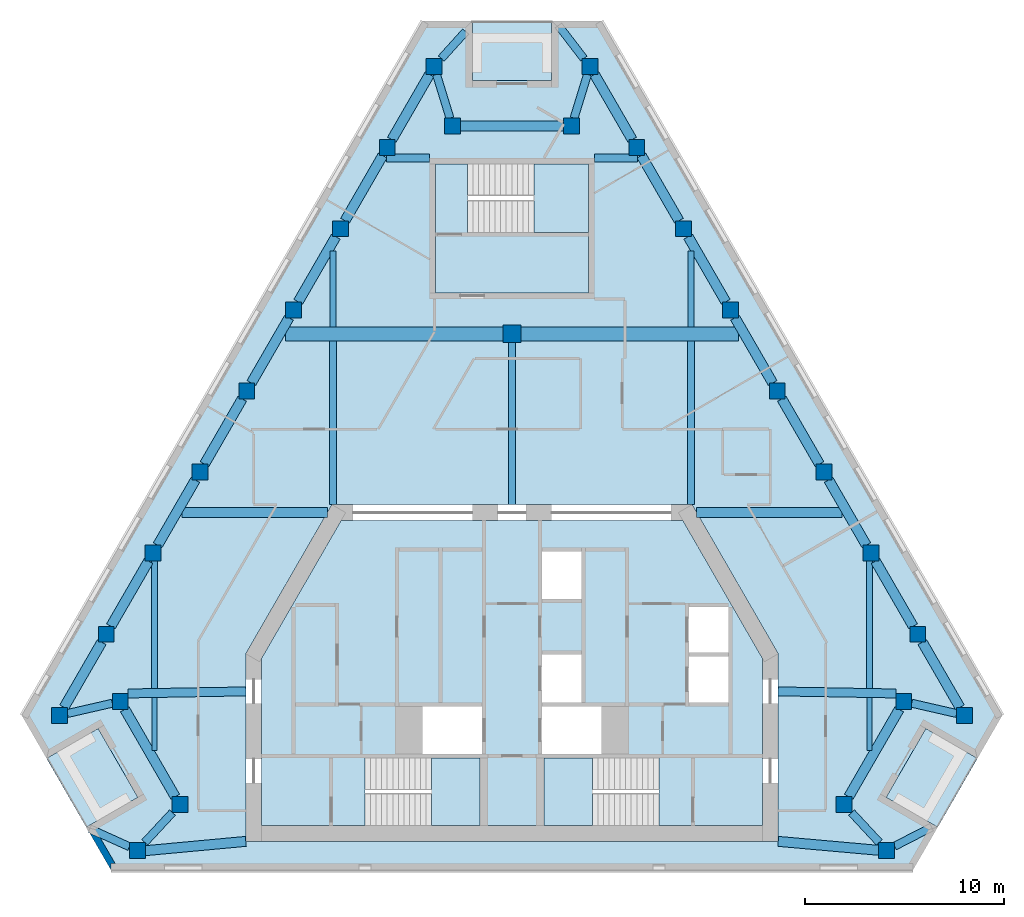
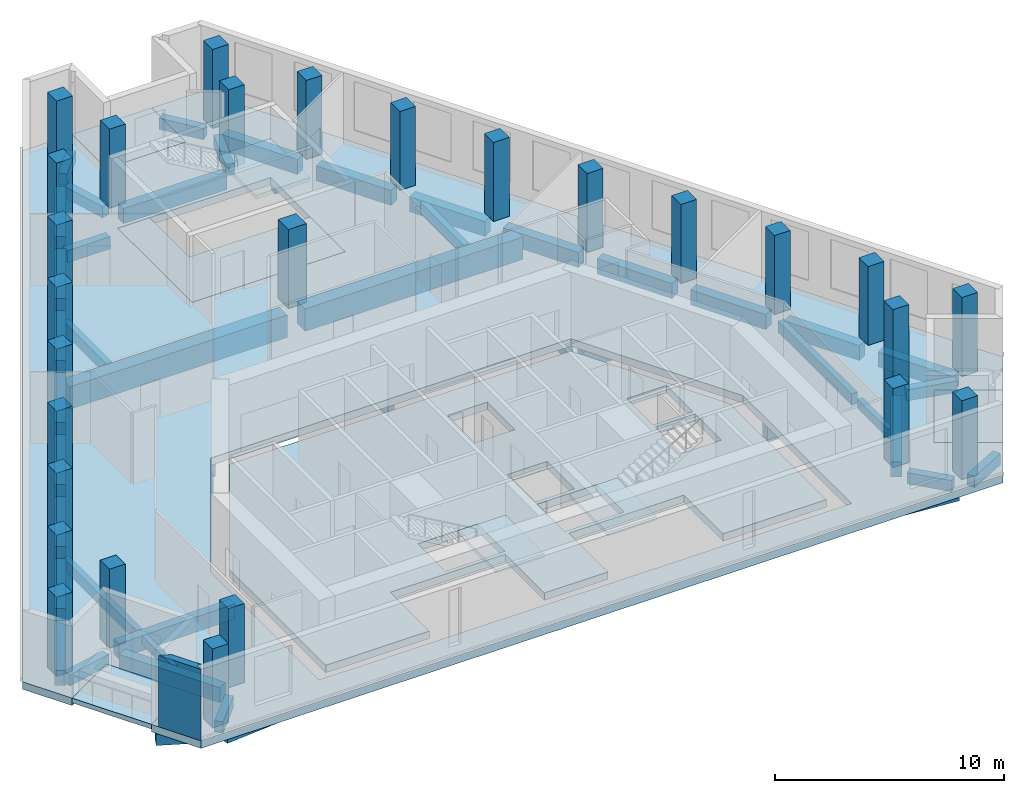
# One storey, part 1 of 8: 48 beams, 27 columns, 9 slabs, 1 wall, 3 elements without a shape of their own.
"""IFC4 building model written with IfcOpenShell, lengths in metres."""

from ifc_helpers import new_model, si_unit, direction, frame, origin, origin_2d, place, context, subcontext, project, spatial, polyline, rectangle, outline, extrude, material, layer, layer_set, material_profile, profile_set, type_object, element, aggregate, save


model = new_model("IFC4")

# Units and contexts
model_context = context("Model", 3, precision=1e-05, world=origin(), true_north=direction((0.0, 1.0)))
body_context = subcontext(model_context, "Body", "Model", "MODEL_VIEW")
ifc_project = project(units=[si_unit("LENGTHUNIT", "METRE"), si_unit("AREAUNIT", "SQUARE_METRE"), si_unit("VOLUMEUNIT", "CUBIC_METRE"), si_unit("PLANEANGLEUNIT", "RADIAN"), si_unit("MASSUNIT", "GRAM", prefix="KILO")], contexts=[model_context])

# Site, building, storey
site_placement = place(None, origin())
site = spatial("IfcSite", under=ifc_project, at=site_placement, CompositionType="ELEMENT")
building_placement = place(site_placement, origin())
building = spatial("IfcBuilding", under=site, at=building_placement, Name="Fogline Exchange Tower", CompositionType="ELEMENT")
storey_placement = place(building_placement, frame((0.0, 0.0, 314.10009765625)))
storey = spatial("IfcBuildingStorey", under=building, at=storey_placement, Name="L71", CompositionType="ELEMENT", Elevation=314.10009765625)

# Columns
ifc_material_1 = material(Name="Concrete C60", Category="concrete")
ifc_material_profile_1 = material_profile(ifc_material_1, rectangle(XDim=0.89990234375, YDim=0.89990234375, at=origin_2d()), Name="RC 900x900")
ifc_profile_set_1 = profile_set([ifc_material_profile_1], Name="Concrete C60")
column_type_1 = type_object("IfcColumnType", Name="C06", PredefinedType="COLUMN", material=ifc_profile_set_1)
column_placement = place(storey_placement, frame((0.0, 27.0, 0.0), z_axis=(0.0, 0.0, 1.0), x_axis=(1.0, 0.0, 0.0)))
element("IfcColumn", 1, at=column_placement, inside=storey, type_object=column_type_1, Name="IC-0-27", PredefinedType="COLUMN", context=body_context, shape_type="SweptSolid", body=[
    extrude(rectangle(XDim=0.89990234375, YDim=0.89990234375, at=origin_2d()), origin(), (0.0, 0.0, 1.0), 4.199951171875),
])
ifc_material_profile_2 = material_profile(ifc_material_1, rectangle(XDim=0.800048828125, YDim=0.800048828125, at=origin_2d()), Name="RC 800x800")
ifc_profile_set_2 = profile_set([ifc_material_profile_2], Name="Concrete C60")
column_type_2 = type_object("IfcColumnType", Name="C07", PredefinedType="COLUMN", material=ifc_profile_set_2)
for number, where, z_axis, x_axis, name in (
    (2, (-22.7802734375, 7.794189453125, 0.0), (0.0, 0.0, 1.0), (1.0, 0.0, 0.0), "SW-a"),
    (3, (-19.720947265625, 8.4951171875, 0.0), (0.0, 0.0, 1.0), (1.0, 0.0, 0.0), "SW-p4"),
    (4, (-16.720947265625, 3.299072265625, 0.0), (0.0, 0.0, 1.0), (1.0, 0.0, 0.0), "SW-p3"),
    (5, (-18.857666015625, 1.0, 0.0), (0.0, 0.0, 1.0), (1.0, 0.0, 0.0), "SW-b"),
    (6, (18.857666015625, 1.0, 0.0), (0.0, 0.0, 1.0), (1.0, 0.0, 0.0), "SE-a"),
    (7, (16.720947265625, 3.299072265625, 0.0), (0.0, 0.0, 1.0), (1.0, 0.0, 0.0), "SE-p4"),
    (8, (19.720947265625, 8.4951171875, 0.0), (0.0, 0.0, 1.0), (1.0, 0.0, 0.0), "SE-p3"),
    (9, (22.7802734375, 7.794189453125, 0.0), (0.0, 0.0, 1.0), (1.0, 0.0, 0.0), "SE-b"),
    (10, (20.423095703125, 11.876953125, 0.0), (0.0, 0.0, 1.0), (1.0, 0.0, 0.0), "E1"),
    (11, (18.06591796875, 15.959716796875, 0.0), (0.0, 0.0, 1.0), (1.0, 0.0, 0.0), "E2"),
    (12, (15.708740234375, 20.04248046875, 0.0), (0.0, 0.0, 1.0), (1.0, 0.0, 0.0), "E3"),
    (13, (13.3515625, 24.12548828125, 0.0), (0.0, 0.0, 1.0), (1.0, 0.0, 0.0), "E4"),
    (14, (10.994384765625, 28.208251953125, 0.0), (0.0, 0.0, 1.0), (1.0, 0.0, 0.0), "E5"),
    (15, (8.63720703125, 32.291015625, 0.0), (0.0, 0.0, 1.0), (1.0, 0.0, 0.0), "E6"),
    (16, (6.27978515625, 36.373779296875, 0.0), (0.0, 0.0, 1.0), (1.0, 0.0, 0.0), "E7"),
    (17, (3.922607421875, 40.456787109375, 0.0), (0.0, 0.0, 1.0), (1.0, 0.0, 0.0), "N-a"),
    (18, (3.0, 37.456787109375, 0.0), (0.0, 0.0, 1.0), (1.0, 0.0, 0.0), "N-p4"),
    (19, (-3.0, 37.456787109375, 0.0), (0.0, 0.0, 1.0), (1.0, 0.0, 0.0), "N-p3"),
    (20, (-3.922607421875, 40.456787109375, 0.0), (0.0, 0.0, 1.0), (1.0, 0.0, 0.0), "N-b"),
    (21, (-6.27978515625, 36.373779296875, 0.0), (0.0, 0.0, 1.0), (1.0, 0.0, 0.0), "W1"),
    (22, (-8.63720703125, 32.291015625, 0.0), (0.0, 0.0, 1.0), (1.0, 0.0, 0.0), "W2"),
    (23, (-10.994384765625, 28.208251953125, 0.0), (0.0, 0.0, 1.0), (1.0, 0.0, 0.0), "W3"),
    (24, (-13.3515625, 24.12548828125, 0.0), (0.0, 0.0, 1.0), (1.0, 0.0, 0.0), "W4"),
    (25, (-15.708740234375, 20.04248046875, 0.0), (0.0, 0.0, 1.0), (1.0, 0.0, 0.0), "W5"),
    (26, (-18.06591796875, 15.959716796875, 0.0), (0.0, 0.0, 1.0), (1.0, 0.0, 0.0), "W6"),
    (27, (-20.423095703125, 11.876953125, 0.0), (0.0, 0.0, 1.0), (1.0, 0.0, 0.0), "W7"),
):
    element("IfcColumn", number, at=place(storey_placement, frame(where, z_axis=z_axis, x_axis=x_axis)), inside=storey, type_object=column_type_2, Name=name, PredefinedType="COLUMN", context=body_context, shape_type="SweptSolid", body=[
        extrude(rectangle(XDim=0.800048828125, YDim=0.800048828125, at=origin_2d()), origin(), (0.0, 0.0, 1.0), 4.199951171875),
    ])

# Beams
ifc_material_2 = material(Name="Concrete C40", Category="concrete")
ifc_material_profile_3 = material_profile(ifc_material_2, rectangle(XDim=0.300048828125, YDim=0.60009765625, at=origin_2d()), Name="RC 300x600")
ifc_profile_set_3 = profile_set([ifc_material_profile_3], Name="Concrete C40")
beam_type_1 = type_object("IfcBeamType", Name="B06", PredefinedType="BEAM", material=ifc_profile_set_3)
beam_1_placement = place(storey_placement, frame((-18.0, 9.1435546875, -0.7001953125), z_axis=(0.0, 1.0, 0.0), x_axis=(-1.0, 0.0, 0.0)))
element("IfcBeam", 28, at=beam_1_placement, inside=storey, type_object=beam_type_1, Name="SB002", PredefinedType="BEAM", context=body_context, shape_type="SweptSolid", body=[
    extrude(rectangle(XDim=0.300048828125, YDim=0.60009765625, at=origin_2d()), origin(), (0.0, 0.0, 1.0), 6.416259765625),
])
for number, where, z_axis, x_axis, name in (
    (29, (-9.0, 27.35009765625, -0.7001953125), (0.0, 1.0, 0.0), (-1.0, 0.0, 0.0), "SB004"),
    (30, (9.0, 27.35009765625, -0.7001953125), (0.0, 1.0, 0.0), (-1.0, 0.0, 0.0), "SB007"),
):
    element("IfcBeam", number, at=place(storey_placement, frame(where, z_axis=z_axis, x_axis=x_axis)), inside=storey, type_object=beam_type_1, Name=name, PredefinedType="BEAM", context=body_context, shape_type="SweptSolid", body=[
        extrude(rectangle(XDim=0.300048828125, YDim=0.60009765625, at=origin_2d()), origin(), (0.0, 0.0, 1.0), 3.812255859375),
    ])
beam_2_placement = place(storey_placement, frame((18.0, 9.1435546875, -0.7001953125), z_axis=(0.0, 1.0, 0.0), x_axis=(-1.0, 0.0, 0.0)))
element("IfcBeam", 31, at=beam_2_placement, inside=storey, type_object=beam_type_1, Name="SB009", PredefinedType="BEAM", context=body_context, shape_type="SweptSolid", body=[
    extrude(rectangle(XDim=0.300048828125, YDim=0.60009765625, at=origin_2d()), origin(), (0.0, 0.0, 1.0), 6.416259765625),
])
ifc_material_profile_4 = material_profile(ifc_material_2, rectangle(XDim=0.25, YDim=0.5, at=origin_2d()), Name="RC 250x500")
ifc_profile_set_4 = profile_set([ifc_material_profile_4], Name="Concrete C40")
beam_type_2 = type_object("IfcBeamType", Name="B08", PredefinedType="BEAM", material=ifc_profile_set_4)
for number, where, z_axis, x_axis, name in (
    (32, (-18.0, 6.014404296875, -0.650146484375), (0.0, 1.0, 0.0), (-1.0, 0.0, 0.0), "SB001"),
    (33, (18.0, 6.014404296875, -0.650146484375), (0.0, 1.0, 0.0), (-1.0, 0.0, 0.0), "SB008"),
):
    element("IfcBeam", number, at=place(storey_placement, frame(where, z_axis=z_axis, x_axis=x_axis)), inside=storey, type_object=beam_type_2, Name=name, PredefinedType="BEAM", context=body_context, shape_type="SweptSolid", body=[
        extrude(rectangle(XDim=0.25, YDim=0.5, at=origin_2d()), origin(), (0.0, 0.0, 1.0), 2.67919921875),
    ])
ifc_material_profile_5 = material_profile(ifc_material_2, rectangle(XDim=0.5, YDim=0.800048828125, at=origin_2d()), Name="RC 500x800")
ifc_profile_set_5 = profile_set([ifc_material_profile_5], Name="Concrete C40")
beam_type_3 = type_object("IfcBeamType", Name="B10", PredefinedType="BEAM", material=ifc_profile_set_5)
beam_3_placement = place(storey_placement, frame((-19.489990234375, 8.09521484375, -0.800048828125), z_axis=(0.499987508774, -0.866032615477, 0.0), x_axis=(0.866032615477, 0.499987508774, 0.0)))
element("IfcBeam", 34, at=beam_3_placement, inside=storey, type_object=beam_type_3, Name="RB002", PredefinedType="BEAM", context=body_context, shape_type="SweptSolid", body=[
    extrude(rectangle(XDim=0.5, YDim=0.800048828125, at=origin_2d()), origin(), (0.0, 0.0, 1.0), 5.076416015625),
])
beam_4_placement = place(storey_placement, frame((-18.457763671875, 0.981689453125, -0.800048828125), z_axis=(0.995741736268, 0.092186737952, 0.0), x_axis=(-0.092186737952, 0.995741736268, 0.0)))
element("IfcBeam", 35, at=beam_4_placement, inside=storey, type_object=beam_type_3, Name="RB004", PredefinedType="BEAM", context=body_context, shape_type="SweptSolid", body=[
    extrude(rectangle(XDim=0.5, YDim=0.800048828125, at=origin_2d()), origin(), (0.0, 0.0, 1.0), 5.07958984375),
])
beam_5_placement = place(storey_placement, frame((13.39990234375, 1.449951171875, -0.800048828125), z_axis=(0.996066324908, -0.088610814153, 0.0), x_axis=(0.088610814153, 0.996066324908, 0.0)))
element("IfcBeam", 36, at=beam_5_placement, inside=storey, type_object=beam_type_3, Name="RB005", PredefinedType="BEAM", context=body_context, shape_type="SweptSolid", body=[
    extrude(rectangle(XDim=0.5, YDim=0.800048828125, at=origin_2d()), origin(), (0.0, 0.0, 1.0), 5.077880859375),
])
beam_6_placement = place(storey_placement, frame((16.951904296875, 3.698974609375, -0.800048828125), z_axis=(0.499987508774, 0.866032615477, 0.0), x_axis=(-0.866032615477, 0.499987508774, 0.0)))
element("IfcBeam", 37, at=beam_6_placement, inside=storey, type_object=beam_type_3, Name="RB007", PredefinedType="BEAM", context=body_context, shape_type="SweptSolid", body=[
    extrude(rectangle(XDim=0.5, YDim=0.800048828125, at=origin_2d()), origin(), (0.0, 0.0, 1.0), 5.076416015625),
])
beam_7_placement = place(storey_placement, frame((22.54931640625, 8.194091796875, -0.800048828125), z_axis=(-0.499969613651, 0.86604294664, 0.0), x_axis=(-0.86604294664, -0.499969613651, 0.0)))
element("IfcBeam", 38, at=beam_7_placement, inside=storey, type_object=beam_type_3, Name="RB009", PredefinedType="BEAM", context=body_context, shape_type="SweptSolid", body=[
    extrude(rectangle(XDim=0.5, YDim=0.800048828125, at=origin_2d()), origin(), (0.0, 0.0, 1.0), 3.790771484375),
])
for number, where, z_axis, x_axis, name in (
    (39, (20.192138671875, 12.277099609375, -0.800048828125), (-0.499997501644, 0.866026846206, 0.0), (-0.866026846206, -0.499997501644, 0.0), "RB010"),
    (40, (17.8349609375, 16.35986328125, -0.800048828125), (-0.499997501644, 0.866026846206, 0.0), (-0.866026846206, -0.499997501644, 0.0), "RB011"),
    (41, (15.477783203125, 20.442626953125, -0.800048828125), (-0.499997501644, 0.866026846206, 0.0), (-0.866026846206, -0.499997501644, 0.0), "RB012"),
):
    element("IfcBeam", number, at=place(storey_placement, frame(where, z_axis=z_axis, x_axis=x_axis)), inside=storey, type_object=beam_type_3, Name=name, PredefinedType="BEAM", context=body_context, shape_type="SweptSolid", body=[
        extrude(rectangle(XDim=0.5, YDim=0.800048828125, at=origin_2d()), origin(), (0.0, 0.0, 1.0), 3.79052734375),
    ])
for number, where, z_axis, x_axis, name in (
    (42, (13.12060546875, 24.525390625, -0.800048828125), (-0.500045805297, 0.865998956469, 0.0), (-0.865998956469, -0.500045805297, 0.0), "RB013"),
    (43, (10.76318359375, 28.608154296875, -0.800048828125), (-0.499969613651, 0.86604294664, 0.0), (-0.86604294664, -0.499969613651, 0.0), "RB014"),
    (44, (8.406005859375, 32.69091796875, -0.800048828125), (-0.499969613651, 0.86604294664, 0.0), (-0.86604294664, -0.499969613651, 0.0), "RB015"),
    (45, (6.048828125, 36.773681640625, -0.800048828125), (-0.499969613651, 0.86604294664, 0.0), (-0.86604294664, -0.499969613651, 0.0), "RB016"),
):
    element("IfcBeam", number, at=place(storey_placement, frame(where, z_axis=z_axis, x_axis=x_axis)), inside=storey, type_object=beam_type_3, Name=name, PredefinedType="BEAM", context=body_context, shape_type="SweptSolid", body=[
        extrude(rectangle(XDim=0.5, YDim=0.800048828125, at=origin_2d()), origin(), (0.0, 0.0, 1.0), 3.790771484375),
    ])
beam_8_placement = place(storey_placement, frame((2.60009765625, 37.456787109375, -0.800048828125), z_axis=(-1.0, 0.0, 0.0), x_axis=(0.0, -1.0, 0.0)))
element("IfcBeam", 46, at=beam_8_placement, inside=storey, type_object=beam_type_3, Name="RB018", PredefinedType="BEAM", context=body_context, shape_type="SweptSolid", body=[
    extrude(rectangle(XDim=0.5, YDim=0.800048828125, at=origin_2d()), origin(), (0.0, 0.0, 1.0), 5.2001953125),
])
for number, where, z_axis, x_axis, name in (
    (47, (-4.153564453125, 40.056640625, -0.800048828125), (-0.499969613651, -0.86604294664, 0.0), (0.86604294664, -0.499969613651, 0.0), "RB020"),
    (48, (-6.5107421875, 35.973876953125, -0.800048828125), (-0.499969613651, -0.86604294664, 0.0), (0.86604294664, -0.499969613651, 0.0), "RB021"),
    (49, (-8.867919921875, 31.89111328125, -0.800048828125), (-0.499969613651, -0.86604294664, 0.0), (0.86604294664, -0.499969613651, 0.0), "RB022"),
    (50, (-11.22509765625, 27.80810546875, -0.800048828125), (-0.500045805297, -0.865998956469, 0.0), (0.865998956469, -0.500045805297, 0.0), "RB023"),
):
    element("IfcBeam", number, at=place(storey_placement, frame(where, z_axis=z_axis, x_axis=x_axis)), inside=storey, type_object=beam_type_3, Name=name, PredefinedType="BEAM", context=body_context, shape_type="SweptSolid", body=[
        extrude(rectangle(XDim=0.5, YDim=0.800048828125, at=origin_2d()), origin(), (0.0, 0.0, 1.0), 3.790771484375),
    ])
for number, where, z_axis, x_axis, name in (
    (51, (-13.58251953125, 23.725341796875, -0.800048828125), (-0.499997501644, -0.866026846206, 0.0), (0.866026846206, -0.499997501644, 0.0), "RB024"),
    (52, (-15.939697265625, 19.642578125, -0.800048828125), (-0.499997501644, -0.866026846206, 0.0), (0.866026846206, -0.499997501644, 0.0), "RB025"),
    (53, (-18.296875, 15.559814453125, -0.800048828125), (-0.499997501644, -0.866026846206, 0.0), (0.866026846206, -0.499997501644, 0.0), "RB026"),
):
    element("IfcBeam", number, at=place(storey_placement, frame(where, z_axis=z_axis, x_axis=x_axis)), inside=storey, type_object=beam_type_3, Name=name, PredefinedType="BEAM", context=body_context, shape_type="SweptSolid", body=[
        extrude(rectangle(XDim=0.5, YDim=0.800048828125, at=origin_2d()), origin(), (0.0, 0.0, 1.0), 3.79052734375),
    ])
beam_9_placement = place(storey_placement, frame((-20.654052734375, 11.47705078125, -0.800048828125), z_axis=(-0.499969613651, -0.86604294664, 0.0), x_axis=(0.86604294664, -0.499969613651, 0.0)))
element("IfcBeam", 54, at=beam_9_placement, inside=storey, type_object=beam_type_3, Name="RB027", PredefinedType="BEAM", context=body_context, shape_type="SweptSolid", body=[
    extrude(rectangle(XDim=0.5, YDim=0.800048828125, at=origin_2d()), origin(), (0.0, 0.0, 1.0), 3.790771484375),
])
ifc_material_profile_6 = material_profile(ifc_material_2, rectangle(XDim=0.39990234375, YDim=0.60009765625, at=origin_2d()), Name="RC 400x600")
ifc_profile_set_6 = profile_set([ifc_material_profile_6], Name="Concrete C40")
beam_type_4 = type_object("IfcBeamType", Name="B11", PredefinedType="BEAM", material=ifc_profile_set_6)
beam_10_placement = place(storey_placement, frame((-22.38037109375, 7.885986328125, -0.7001953125), z_axis=(0.974753812703, 0.223282342834, 0.0), x_axis=(-0.223282342834, 0.974753812703, 0.0)))
element("IfcBeam", 55, at=beam_10_placement, inside=storey, type_object=beam_type_4, Name="RB001", PredefinedType="BEAM", context=body_context, shape_type="SweptSolid", body=[
    extrude(rectangle(XDim=0.39990234375, YDim=0.60009765625, at=origin_2d()), origin(), (0.0, 0.0, 1.0), 2.318115234375),
])
for number, where, z_axis, x_axis, name in (
    (56, (-17.0927734375, 2.89892578125, -0.7001953125), (-0.680743909802, -0.732521487239, 0.0), (0.732521487239, -0.680743909802, 0.0), "RB003"),
    (57, (18.48583984375, 1.39990234375, -0.7001953125), (-0.680743909802, 0.732521487239, 0.0), (-0.732521487239, -0.680743909802, 0.0), "RB006"),
):
    element("IfcBeam", number, at=place(storey_placement, frame(where, z_axis=z_axis, x_axis=x_axis)), inside=storey, type_object=beam_type_4, Name=name, PredefinedType="BEAM", context=body_context, shape_type="SweptSolid", body=[
        extrude(rectangle(XDim=0.39990234375, YDim=0.60009765625, at=origin_2d()), origin(), (0.0, 0.0, 1.0), 2.04638671875),
    ])
beam_11_placement = place(storey_placement, frame((20.120849609375, 8.403564453125, -0.7001953125), z_axis=(0.974753812703, -0.223282342834, 0.0), x_axis=(0.223282342834, 0.974753812703, 0.0)))
element("IfcBeam", 58, at=beam_11_placement, inside=storey, type_object=beam_type_4, Name="RB008", PredefinedType="BEAM", context=body_context, shape_type="SweptSolid", body=[
    extrude(rectangle(XDim=0.39990234375, YDim=0.60009765625, at=origin_2d()), origin(), (0.0, 0.0, 1.0), 2.318115234375),
])
for number, where, z_axis, x_axis, name in (
    (59, (3.799560546875, 40.056640625, -0.7001953125), (-0.293929314998, -0.955827158949, 0.0), (0.955827158949, -0.293929314998, 0.0), "RB017"),
    (60, (-3.123046875, 37.856689453125, -0.7001953125), (-0.293929314998, 0.955827158949, 0.0), (-0.955827158949, -0.293929314998, 0.0), "RB019"),
):
    element("IfcBeam", number, at=place(storey_placement, frame(where, z_axis=z_axis, x_axis=x_axis)), inside=storey, type_object=beam_type_4, Name=name, PredefinedType="BEAM", context=body_context, shape_type="SweptSolid", body=[
        extrude(rectangle(XDim=0.39990234375, YDim=0.60009765625, at=origin_2d()), origin(), (0.0, 0.0, 1.0), 2.301513671875),
    ])
beam_12_placement = place(storey_placement, frame((3.61572265625, 40.856689453125, -0.7001953125), z_axis=(-0.608725000028, 0.793381291903, 0.0), x_axis=(-0.793381291903, -0.608725000028, 0.0)))
element("IfcBeam", 61, at=beam_12_placement, inside=storey, type_object=beam_type_4, Name="SP028", PredefinedType="BEAM", context=body_context, shape_type="SweptSolid", body=[
    extrude(rectangle(XDim=0.39990234375, YDim=0.60009765625, at=origin_2d()), origin(), (0.0, 0.0, 1.0), 2.095703125),
])
beam_13_placement = place(storey_placement, frame((-3.5615234375, 40.856689453125, -0.7001953125), z_axis=(0.670231736152, 0.742151884626, 0.0), x_axis=(-0.742151884626, 0.670231736152, 0.0)))
element("IfcBeam", 62, at=beam_13_placement, inside=storey, type_object=beam_type_4, Name="SP029", PredefinedType="BEAM", context=body_context, shape_type="SweptSolid", body=[
    extrude(rectangle(XDim=0.39990234375, YDim=0.60009765625, at=origin_2d()), origin(), (0.0, 0.0, 1.0), 1.82958984375),
])
beam_14_placement = place(storey_placement, frame((-19.2578125, 1.1806640625, -0.7001953125), z_axis=(-0.911432419254, 0.411449808765, 0.0), x_axis=(-0.411449808765, -0.911432419254, 0.0)))
element("IfcBeam", 63, at=beam_14_placement, inside=storey, type_object=beam_type_4, Name="SP030", PredefinedType="BEAM", context=body_context, shape_type="SweptSolid", body=[
    extrude(rectangle(XDim=0.39990234375, YDim=0.60009765625, at=origin_2d()), origin(), (0.0, 0.0, 1.0), 2.19775390625),
])
beam_15_placement = place(storey_placement, frame((19.2578125, 1.205810546875, -0.7001953125), z_axis=(0.889100961616, 0.457711131668, 0.0), x_axis=(-0.457711131668, 0.889100961616, 0.0)))
element("IfcBeam", 64, at=beam_15_placement, inside=storey, type_object=beam_type_4, Name="SP031", PredefinedType="BEAM", context=body_context, shape_type="SweptSolid", body=[
    extrude(rectangle(XDim=0.39990234375, YDim=0.60009765625, at=origin_2d()), origin(), (0.0, 0.0, 1.0), 2.09619140625),
])
ifc_material_profile_7 = material_profile(ifc_material_2, rectangle(XDim=0.39990234375, YDim=0.64990234375, at=origin_2d()), Name="RC 400x650")
ifc_profile_set_7 = profile_set([ifc_material_profile_7], Name="Concrete C40")
beam_type_5 = type_object("IfcBeamType", Name="B13", PredefinedType="BEAM", material=ifc_profile_set_7)
for number, where, z_axis, x_axis, name in (
    (65, (-6.308349609375, 35.85693359375, -0.72509765625), (1.0, 0.0, 0.0), (0.0, 1.0, 0.0), "GB007"),
    (66, (4.14990234375, 35.85693359375, -0.72509765625), (1.0, 0.0, 0.0), (0.0, 1.0, 0.0), "GB008"),
):
    element("IfcBeam", number, at=place(storey_placement, frame(where, z_axis=z_axis, x_axis=x_axis)), inside=storey, type_object=beam_type_5, Name=name, PredefinedType="BEAM", context=body_context, shape_type="SweptSolid", body=[
        extrude(rectangle(XDim=0.39990234375, YDim=0.64990234375, at=origin_2d()), origin(), (0.0, 0.0, 1.0), 2.158447265625),
    ])
ifc_material_profile_8 = material_profile(ifc_material_2, rectangle(XDim=0.5, YDim=0.949951171875, at=origin_2d()), Name="RC 500x950")
ifc_profile_set_8 = profile_set([ifc_material_profile_8], Name="Concrete C40")
beam_type_6 = type_object("IfcBeamType", Name="B14", PredefinedType="BEAM", material=ifc_profile_set_8)
for number, where, z_axis, x_axis, name in (
    (67, (-16.599365234375, 18.0, -0.875), (1.0, 0.0, 0.0), (0.0, 1.0, 0.0), "GB003"),
    (68, (9.296142578125, 18.0, -0.875), (1.0, 0.0, 0.0), (0.0, 1.0, 0.0), "GB004"),
):
    element("IfcBeam", number, at=place(storey_placement, frame(where, z_axis=z_axis, x_axis=x_axis)), inside=storey, type_object=beam_type_6, Name=name, PredefinedType="BEAM", context=body_context, shape_type="SweptSolid", body=[
        extrude(rectangle(XDim=0.5, YDim=0.949951171875, at=origin_2d()), origin(), (0.0, 0.0, 1.0), 7.30322265625),
    ])
ifc_material_profile_9 = material_profile(ifc_material_2, rectangle(XDim=0.35009765625, YDim=0.64990234375, at=origin_2d()), Name="RC 350x650")
ifc_profile_set_9 = profile_set([ifc_material_profile_9], Name="Concrete C40")
beam_type_7 = type_object("IfcBeamType", Name="B16", PredefinedType="BEAM", material=ifc_profile_set_9)
beam_16_placement = place(storey_placement, frame((-9.0, 18.39990234375, -0.72509765625), z_axis=(0.0, 1.0, 0.0), x_axis=(-1.0, 0.0, 0.0)))
element("IfcBeam", 69, at=beam_16_placement, inside=storey, type_object=beam_type_7, Name="SB003", PredefinedType="BEAM", context=body_context, shape_type="SweptSolid", body=[
    extrude(rectangle(XDim=0.35009765625, YDim=0.64990234375, at=origin_2d()), origin(), (0.0, 0.0, 1.0), 8.25),
])
beam_17_placement = place(storey_placement, frame((0.0, 18.39990234375, -0.72509765625), z_axis=(0.0, 1.0, 0.0), x_axis=(-1.0, 0.0, 0.0)))
element("IfcBeam", 70, at=beam_17_placement, inside=storey, type_object=beam_type_7, Name="SB005", PredefinedType="BEAM", context=body_context, shape_type="SweptSolid", body=[
    extrude(rectangle(XDim=0.35009765625, YDim=0.64990234375, at=origin_2d()), origin(), (0.0, 0.0, 1.0), 8.150146484375),
])
beam_18_placement = place(storey_placement, frame((9.0, 18.39990234375, -0.72509765625), z_axis=(0.0, 1.0, 0.0), x_axis=(-1.0, 0.0, 0.0)))
element("IfcBeam", 71, at=beam_18_placement, inside=storey, type_object=beam_type_7, Name="SB006", PredefinedType="BEAM", context=body_context, shape_type="SweptSolid", body=[
    extrude(rectangle(XDim=0.35009765625, YDim=0.64990234375, at=origin_2d()), origin(), (0.0, 0.0, 1.0), 8.25),
])
ifc_material_profile_10 = material_profile(ifc_material_2, rectangle(XDim=0.699951171875, YDim=1.199951171875, at=origin_2d()), Name="RC 700x1200")
ifc_profile_set_10 = profile_set([ifc_material_profile_10], Name="Concrete C40")
beam_type_8 = type_object("IfcBeamType", Name="B17", PredefinedType="BEAM", material=ifc_profile_set_10)
for number, where, z_axis, x_axis, name in (
    (72, (-11.4033203125, 27.0, -1.0), (1.0, 0.0, 0.0), (0.0, 1.0, 0.0), "GB005"),
    (73, (0.449951171875, 27.0, -1.0), (1.0, 0.0, 0.0), (0.0, 1.0, 0.0), "GB006"),
):
    element("IfcBeam", number, at=place(storey_placement, frame(where, z_axis=z_axis, x_axis=x_axis)), inside=storey, type_object=beam_type_8, Name=name, PredefinedType="BEAM", context=body_context, shape_type="SweptSolid", body=[
        extrude(rectangle(XDim=0.699951171875, YDim=1.199951171875, at=origin_2d()), origin(), (0.0, 0.0, 1.0), 10.953369140625),
    ])
ifc_material_profile_11 = material_profile(ifc_material_2, rectangle(XDim=0.449951171875, YDim=0.800048828125, at=origin_2d()), Name="RC 450x800")
ifc_profile_set_11 = profile_set([ifc_material_profile_11], Name="Concrete C40")
beam_type_9 = type_object("IfcBeamType", Name="B18", PredefinedType="BEAM", material=ifc_profile_set_11)
for number, where, z_axis, x_axis, name in (
    (74, (-19.32080078125, 8.895263671875, -0.800048828125), (0.9998435817, 0.017686495817, 0.0), (-0.017686495817, 0.9998435817, 0.0), "GB001"),
    (75, (13.39990234375, 9.0, -0.800048828125), (0.9998435817, -0.017686495817, 0.0), (0.017686495817, 0.9998435817, 0.0), "GB002"),
):
    element("IfcBeam", number, at=place(storey_placement, frame(where, z_axis=z_axis, x_axis=x_axis)), inside=storey, type_object=beam_type_9, Name=name, PredefinedType="BEAM", context=body_context, shape_type="SweptSolid", body=[
        extrude(rectangle(XDim=0.449951171875, YDim=0.800048828125, at=origin_2d()), origin(), (0.0, 0.0, 1.0), 5.921875),
    ])

# Slabs
ifc_layer_1 = layer(ifc_material_2, 0.25)
ifc_layer_set_1 = layer_set([ifc_layer_1], Name="DK1")
slab_type_1 = type_object("IfcSlabType", Name="DK1", PredefinedType="FLOOR", material=ifc_layer_set_1)
slab_1_placement = place(storey_placement, frame((0.0, 0.0, -0.25)))
element("IfcSlab", 76, at=slab_1_placement, inside=storey, type_object=slab_type_1, Name="Balcony L71 SW", PredefinedType="FLOOR", context=body_context, shape_type="SweptSolid", body=[
    extrude(outline(polyline([(-23.4296875, 5.629150390625), (-21.4296875, 2.1650390625), (-18.831787109375, 3.6650390625), (-20.831787109375, 7.129150390625), (-23.4296875, 5.629150390625)])), origin(), (0.0, 0.0, 1.0), 0.25),
])
slab_2_placement = place(storey_placement, frame((0.0, 0.0, -0.25)))
element("IfcSlab", 77, at=slab_2_placement, inside=storey, type_object=slab_type_1, Name="Balcony L71 SE", PredefinedType="FLOOR", context=body_context, shape_type="SweptSolid", body=[
    extrude(outline(polyline([(21.4296875, 2.1650390625), (23.4296875, 5.629150390625), (20.831787109375, 7.129150390625), (18.831787109375, 3.6650390625), (21.4296875, 2.1650390625)])), origin(), (0.0, 0.0, 1.0), 0.25),
])
slab_3_placement = place(storey_placement, frame((0.0, 0.0, -0.25)))
element("IfcSlab", 78, at=slab_3_placement, inside=storey, type_object=slab_type_1, Name="Balcony L71 N", PredefinedType="FLOOR", context=body_context, shape_type="SweptSolid", body=[
    extrude(outline(polyline([(2.0, 42.74658203125), (-2.0, 42.74658203125), (-2.0, 39.74658203125), (2.0, 39.74658203125), (2.0, 42.74658203125)])), origin(), (0.0, 0.0, 1.0), 0.25),
])
ifc_layer_2 = layer(ifc_material_2, 0.39990234375)
ifc_layer_set_2 = layer_set([ifc_layer_2], Name="S03")
slab_type_2 = type_object("IfcSlabType", Name="S03", PredefinedType="FLOOR", material=ifc_layer_set_2)
slab_4_placement = place(storey_placement, frame((0.0, 0.0, -0.400146484375)))
element("IfcSlab", 79, at=slab_4_placement, inside=storey, type_object=slab_type_2, Name="SLAB L71", PredefinedType="FLOOR", context=body_context, shape_type="SweptSolid", body=[
    extrude(outline(polyline([(-2.0, 42.74658203125), (-4.5, 42.74658203125), (-24.6796875, 7.794189453125), (-23.4296875, 5.629150390625), (-20.831787109375, 7.129150390625), (-18.831787109375, 3.6650390625), (-21.4296875, 2.1650390625), (-20.1796875, 0.0), (20.1796875, 0.0), (21.4296875, 2.1650390625), (18.831787109375, 3.6650390625), (20.831787109375, 7.129150390625), (23.4296875, 5.629150390625), (24.6796875, 7.794189453125), (4.5, 42.74658203125), (2.0, 42.74658203125), (2.0, 39.74658203125), (-2.0, 39.74658203125), (-2.0, 42.74658203125)]), holes=[polyline([(13.39990234375, 10.891845703125), (13.39990234375, 1.449951171875), (-13.39990234375, 1.449951171875), (-13.39990234375, 10.891845703125), (-9.065185546875, 18.39990234375), (9.065185546875, 18.39990234375), (13.39990234375, 10.891845703125)]), polyline([(3.85009765625, 35.556884765625), (3.85009765625, 29.056884765625), (-3.85009765625, 29.056884765625), (-3.85009765625, 35.556884765625), (3.85009765625, 35.556884765625)])]), origin(), (0.0, 0.0, 1.0), 0.400146484375),
])
slab_5_placement = place(storey_placement, frame((0.0, 0.0, -0.400146484375)))
element("IfcSlab", 80, at=slab_5_placement, inside=storey, type_object=slab_type_2, Name="Core floor slab", PredefinedType="FLOOR", context=body_context, shape_type="SweptSolid", body=[
    extrude(outline(polyline([(-12.60009765625, 2.25), (-12.60009765625, 10.677490234375), (-8.603271484375, 17.60009765625), (8.603271484375, 17.60009765625), (12.60009765625, 10.677490234375), (12.60009765625, 2.25), (7.389892578125, 2.25), (7.389892578125, 5.64990234375), (1.60009765625, 5.64990234375), (1.60009765625, 2.25), (-1.60009765625, 2.25), (-1.60009765625, 5.64990234375), (-7.389892578125, 5.64990234375), (-7.389892578125, 2.25), (-12.60009765625, 2.25)]), holes=[polyline([(-4.5, 8.25), (-4.5, 5.85009765625), (-1.5, 5.85009765625), (-1.5, 8.25), (-4.5, 8.25)]), polyline([(1.5, 8.25), (1.5, 5.85009765625), (4.5, 5.85009765625), (4.5, 8.25), (1.5, 8.25)]), polyline([(8.89990234375, 10.75), (8.89990234375, 8.449951171875), (10.89990234375, 8.449951171875), (10.89990234375, 10.75), (8.89990234375, 10.75)]), polyline([(1.5, 10.85009765625), (1.5, 8.449951171875), (3.5, 8.449951171875), (3.5, 10.85009765625), (1.5, 10.85009765625)]), polyline([(8.89990234375, 13.25), (8.89990234375, 10.949951171875), (10.89990234375, 10.949951171875), (10.89990234375, 13.25), (8.89990234375, 13.25)]), polyline([(1.5, 16.050048828125), (1.5, 13.64990234375), (3.5, 13.64990234375), (3.5, 16.050048828125), (1.5, 16.050048828125)])]), origin(), (0.0, 0.0, 1.0), 0.400146484375),
])
slab_6_placement = place(storey_placement, frame((0.0, 0.0, -0.400146484375)))
element("IfcSlab", 81, at=slab_6_placement, inside=storey, type_object=slab_type_2, Name="Stair enclosure floor slab", PredefinedType="FLOOR", context=body_context, shape_type="SweptSolid", body=[
    extrude(outline(polyline([(3.85009765625, 29.056884765625), (-3.85009765625, 29.056884765625), (-3.85009765625, 35.556884765625), (-2.239990234375, 35.556884765625), (-2.239990234375, 32.10693359375), (3.85009765625, 32.10693359375), (3.85009765625, 29.056884765625)])), origin(), (0.0, 0.0, 1.0), 0.400146484375),
])

# Stair, slab
stair_type = type_object("IfcStairType", Name="STR26-1615", PredefinedType="HALF_TURN_STAIR", material=ifc_material_2)
stair_1_placement = place(storey_placement, origin())
stair_1 = element("IfcStair", 82, at=stair_1_placement, inside=storey, type_object=stair_type, Name="Stair ST1", PredefinedType="HALF_TURN_STAIR")
ifc_layer_3 = layer(ifc_material_2, 0.199951171875)
ifc_layer_set_3 = layer_set([ifc_layer_3], Name="SL200")
slab_type_3 = type_object("IfcSlabType", Name="SL200", PredefinedType="LANDING", material=ifc_layer_set_3)
slab_7_placement = place(storey_placement, frame((0.0, 0.0, 1.89990234375)))
slab_7 = element("IfcSlab", 83, at=slab_7_placement, type_object=slab_type_3, Name="ST1 landing 1", PredefinedType="LANDING", context=body_context, shape_type="SweptSolid", body=[
    extrude(outline(polyline([(-4.0400390625, 2.25), (-1.60009765625, 2.25), (-1.60009765625, 5.64990234375), (-4.0400390625, 5.64990234375), (-4.0400390625, 2.25)])), origin(), (0.0, 0.0, 1.0), 0.199951171875),
])
aggregate(stair_1, [slab_7])

stair_2_placement = place(storey_placement, origin())
stair_2 = element("IfcStair", 84, at=stair_2_placement, inside=storey, type_object=stair_type, Name="Stair ST2", PredefinedType="HALF_TURN_STAIR")
slab_8_placement = place(storey_placement, frame((0.0, 0.0, 1.89990234375)))
slab_8 = element("IfcSlab", 85, at=slab_8_placement, type_object=slab_type_3, Name="ST2 landing 1", PredefinedType="LANDING", context=body_context, shape_type="SweptSolid", body=[
    extrude(outline(polyline([(1.60009765625, 2.25), (4.0400390625, 2.25), (4.0400390625, 5.64990234375), (1.60009765625, 5.64990234375), (1.60009765625, 2.25)])), origin(), (0.0, 0.0, 1.0), 0.199951171875),
])
aggregate(stair_2, [slab_8])

stair_3_placement = place(storey_placement, origin())
stair_3 = element("IfcStair", 86, at=stair_3_placement, inside=storey, type_object=stair_type, Name="Stair ST3", PredefinedType="HALF_TURN_STAIR")
slab_9_placement = place(storey_placement, frame((0.0, 0.0, 1.89990234375)))
slab_9 = element("IfcSlab", 87, at=slab_9_placement, type_object=slab_type_3, Name="ST3 landing 1", PredefinedType="LANDING", context=body_context, shape_type="SweptSolid", body=[
    extrude(outline(polyline([(1.110107421875, 32.10693359375), (3.85009765625, 32.10693359375), (3.85009765625, 35.556884765625), (1.110107421875, 35.556884765625), (1.110107421875, 32.10693359375)])), origin(), (0.0, 0.0, 1.0), 0.199951171875),
])
aggregate(stair_3, [slab_9])

# Wall
ifc_material_3 = material(Name="Brick masonry", Category="masonry")
ifc_layer_4 = layer(ifc_material_3, 0.340087890625)
ifc_layer_set_4 = layer_set([ifc_layer_4], Name="FW1")
wall_type = type_object("IfcWallType", Name="FW1", PredefinedType="SOLIDWALL", material=ifc_layer_set_4)
wall_placement = place(storey_placement, origin())
element("IfcWall", 88, at=wall_placement, inside=storey, type_object=wall_type, Name="Brick wall L71 SW-c2", PredefinedType="SOLIDWALL", context=body_context, shape_type="SweptSolid", body=[
    extrude(outline(polyline([(-20.17919921875, 0.33935546875), (-20.17919921875, -0.0009765625), (-20.1796875, -0.001220703125), (-21.25634765625, 1.863525390625), (-20.723388671875, 1.623046875), (-19.982421875, 0.33935546875), (-20.17919921875, 0.33935546875)])), origin(), (0.0, 0.0, 1.0), 3.7998046875),
])

save(model, "model.ifc")
